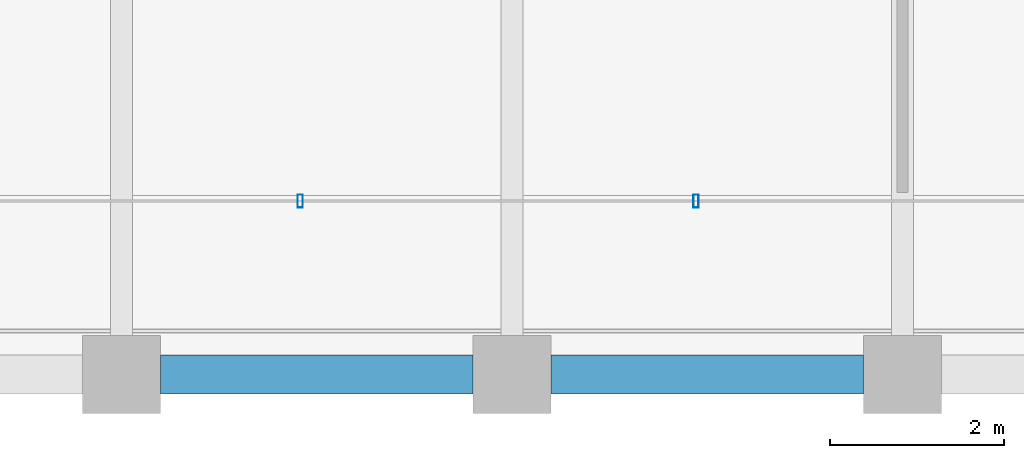
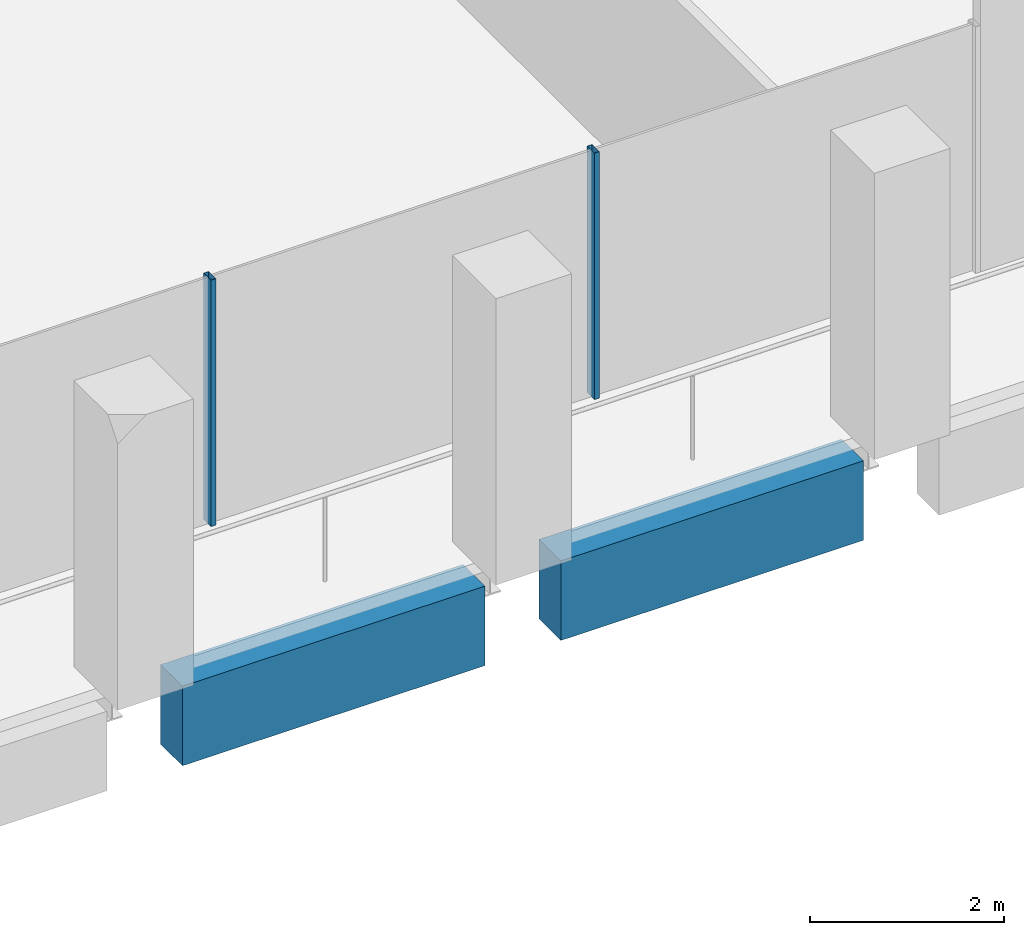
# One storey, part 3 of 40: 2 beams, 2 members, 1 element without a shape of its own.
"""IFC4 building model written with IfcOpenShell, lengths in metres."""

from ifc_helpers import new_model, si_unit, direction, frame, origin, origin_2d, place, context, subcontext, project, spatial, rectangle, hollow_rectangle, extrude, material, material_profile, profile_set, type_object, element, aggregate, save


model = new_model("IFC4")

# Units and contexts
model_context = context("Model", 3, precision=1e-05, world=origin(), true_north=direction((0.0, 1.0)))
body_context = subcontext(model_context, "Body", "Model", "MODEL_VIEW")
ifc_project = project(units=[si_unit("LENGTHUNIT", "METRE"), si_unit("AREAUNIT", "SQUARE_METRE"), si_unit("VOLUMEUNIT", "CUBIC_METRE"), si_unit("PLANEANGLEUNIT", "RADIAN"), si_unit("MASSUNIT", "GRAM", prefix="KILO")], contexts=[model_context])

# Site, building, storey
site_placement = place(None, origin())
site = spatial("IfcSite", under=ifc_project, at=site_placement, CompositionType="ELEMENT")
building_placement = place(site_placement, origin())
building = spatial("IfcBuilding", under=site, at=building_placement, Name="Altepetl Exchange Towers", CompositionType="ELEMENT")
storey_placement = place(building_placement, frame((0.0, 0.0, 147.39990234375)))
storey = spatial("IfcBuildingStorey", under=building, at=storey_placement, Name="L36", CompositionType="ELEMENT", Elevation=147.39990234375)

# Curtain wall, members
ifc_material_1 = material(Name="Aluminium 6063-T6 glazing", Category="aluminium")
curtain_wall_type = type_object("IfcCurtainWallType", Name="Loggia glazing system", PredefinedType="NOTDEFINED", material=ifc_material_1)
curtain_wall_placement = place(storey_placement, origin())
curtain_wall = element("IfcCurtainWall", 1, at=curtain_wall_placement, inside=storey, type_object=curtain_wall_type, Name="CW1 run", PredefinedType="NOTDEFINED")
ifc_material_2 = material(Name="Aluminium 6063-T6", Category="aluminium")
ifc_material_profile_1 = material_profile(ifc_material_2, hollow_rectangle(XDim=0.06005859375, YDim=0.14990234375, WallThickness=0.0029296875, at=origin_2d()), Name="Mullion 60x150 aluminium")
ifc_profile_set_1 = profile_set([ifc_material_profile_1], Name="Aluminium 6063-T6")
member_type = type_object("IfcMemberType", Name="Mullion 60x150 aluminium", PredefinedType="MULLION", material=ifc_profile_set_1)
member_1_placement = place(storey_placement, frame((38.060791015625, 29.0, 0.0)))
member_1 = element("IfcMember", 2, at=member_1_placement, type_object=member_type, Name="MU1 mullion", PredefinedType="MULLION", context=body_context, shape_type="SweptSolid", body=[
    extrude(hollow_rectangle(XDim=0.06005859375, YDim=0.14990234375, WallThickness=0.0029296875, at=origin_2d()), origin(), (0.0, 0.0, 1.0), 3.10009765625),
])
member_2_placement = place(storey_placement, frame((42.621337890625, 29.0, 0.0)))
member_2 = element("IfcMember", 3, at=member_2_placement, type_object=member_type, Name="MU1 mullion", PredefinedType="MULLION", context=body_context, shape_type="SweptSolid", body=[
    extrude(hollow_rectangle(XDim=0.06005859375, YDim=0.14990234375, WallThickness=0.0029296875, at=origin_2d()), origin(), (0.0, 0.0, 1.0), 3.10009765625),
])
aggregate(curtain_wall, [member_1, member_2])

# Beams
ifc_material_3 = material(Name="Concrete C50/60 precast with cantera blanca facing", Category="concrete")
ifc_material_profile_2 = material_profile(ifc_material_3, rectangle(XDim=0.449951171875, YDim=1.0, at=origin_2d()), Name="450 x 1000")
ifc_profile_set_2 = profile_set([ifc_material_profile_2], Name="Concrete C50/60 precast with cantera blanca facing")
beam_type = type_object("IfcBeamType", Name="Spandrel beam 450x1000 cantera blanca", PredefinedType="SPANDREL", material=ifc_profile_set_2)
for number, where, z_axis, x_axis, name in (
    (4, (36.449951171875, 27.0, -0.64990234375), (1.0, 0.0, 0.0), (0.0, 1.0, 0.0), "sp:A:L36:001"),
    (5, (40.949951171875, 27.0, -0.64990234375), (1.0, 0.0, 0.0), (0.0, 1.0, 0.0), "sp:A:L36:002"),
):
    element("IfcBeam", number, at=place(storey_placement, frame(where, z_axis=z_axis, x_axis=x_axis)), inside=storey, type_object=beam_type, Name=name, PredefinedType="SPANDREL", context=body_context, shape_type="SweptSolid", body=[
        extrude(rectangle(XDim=0.449951171875, YDim=1.0, at=origin_2d()), origin(), (0.0, 0.0, 1.0), 3.60009765625),
    ])

save(model, "model.ifc")
